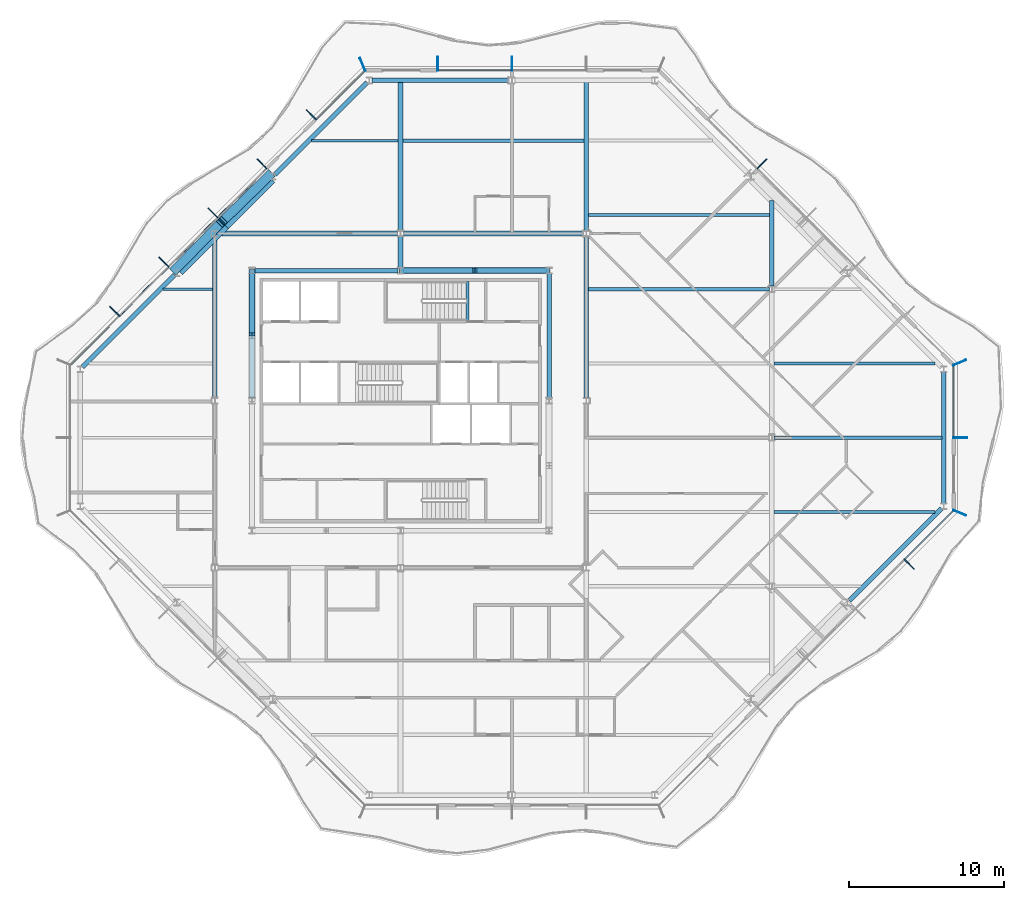
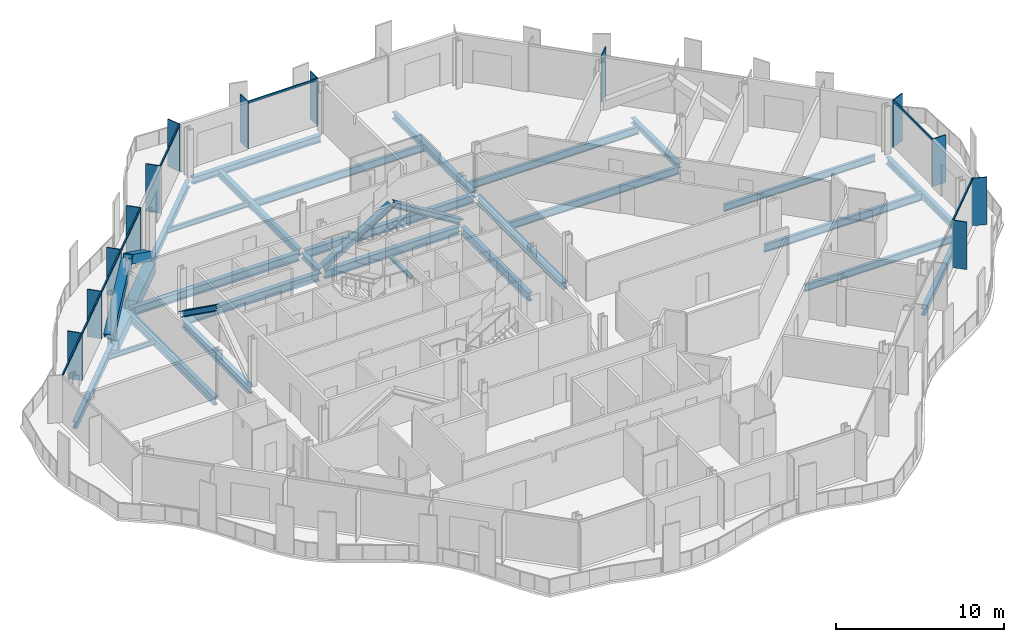
# One storey, part 4 of 17: 28 beams, 26 members, 5 elements without a shape of their own.
"""IFC4 building model written with IfcOpenShell, lengths in metres."""

from ifc_helpers import new_model, si_unit, direction, frame, origin, origin_2d, place, context, subcontext, project, spatial, rectangle, hollow_rectangle, i_section, extrude, material, material_profile, profile_set, type_object, element, aggregate, save


model = new_model("IFC4")

# Units and contexts
model_context = context("Model", 3, precision=1e-05, world=origin(), true_north=direction((0.0, 1.0)))
body_context = subcontext(model_context, "Body", "Model", "MODEL_VIEW")
ifc_project = project(units=[si_unit("LENGTHUNIT", "METRE"), si_unit("AREAUNIT", "SQUARE_METRE"), si_unit("VOLUMEUNIT", "CUBIC_METRE"), si_unit("PLANEANGLEUNIT", "RADIAN"), si_unit("MASSUNIT", "GRAM", prefix="KILO")], contexts=[model_context])

# Site, building, storey
site_placement = place(None, origin())
site = spatial("IfcSite", under=ifc_project, at=site_placement, CompositionType="ELEMENT")
building_placement = place(site_placement, origin())
building = spatial("IfcBuilding", under=site, at=building_placement, Name="Cairn Pilgrim Tower", CompositionType="ELEMENT")
storey_placement = place(building_placement, frame((0.0, 0.0, 217.800048828125)))
storey = spatial("IfcBuildingStorey", under=building, at=storey_placement, Name="L55", CompositionType="ELEMENT", Elevation=217.800048828125)

# Members
ifc_material_1 = material(Name="Structural steel S460M", Category="steel")
ifc_material_profile_1 = material_profile(ifc_material_1, hollow_rectangle(XDim=0.60009765625, YDim=0.60009765625, WallThickness=0.034912109375, at=origin_2d()), Name="BOX 600x600x35")
ifc_profile_set_1 = profile_set([ifc_material_profile_1], Name="Structural steel S460M")
member_type_1 = type_object("IfcMemberType", Name="BOX 600x600x35 BRACE", PredefinedType="BRACE", material=ifc_profile_set_1)
member_1_placement = place(storey_placement, frame((-1.22412109375, 17.00146484375, 0.14990234375), z_axis=(-0.609963251675, -0.594780866166, 0.523622528973), x_axis=(0.698140268834, -0.71596100804, 0.0)))
element("IfcMember", 1, at=member_1_placement, inside=storey, type_object=member_type_1, Name="XB-NW2-NW3-1", PredefinedType="BRACE", context=body_context, shape_type="SweptSolid", body=[
    extrude(hollow_rectangle(XDim=0.60009765625, YDim=0.60009765625, WallThickness=0.034912109375, at=origin_2d()), origin(), (0.0, 0.0, 1.0), 5.033203125),
])
member_2_placement = place(storey_placement, frame((-7.4013671875, 10.823974609375, 0.14990234375), z_axis=(0.59476326853, 0.609993709431, 0.523607036681), x_axis=(-0.715988756584, 0.698111810848, 0.0)))
element("IfcMember", 2, at=member_2_placement, inside=storey, type_object=member_type_1, Name="XB-NW2-NW3-2", PredefinedType="BRACE", context=body_context, shape_type="SweptSolid", body=[
    extrude(hollow_rectangle(XDim=0.60009765625, YDim=0.60009765625, WallThickness=0.034912109375, at=origin_2d()), origin(), (0.0, 0.0, 1.0), 5.033447265625),
])

# Beams
ifc_material_2 = material(Name="Structural steel S355J2", Category="steel")
ifc_material_profile_2 = material_profile(ifc_material_2, hollow_rectangle(XDim=0.699951171875, YDim=0.800048828125, WallThickness=0.0400390625, at=origin_2d()), Name="BOX 700x800x40")
ifc_profile_set_2 = profile_set([ifc_material_profile_2], Name="Structural steel S355J2")
beam_type_1 = type_object("IfcBeamType", Name="BOX 700x800x40 RING GIRDER", PredefinedType="SPANDREL", material=ifc_profile_set_2)
beam_1_placement = place(storey_placement, frame((-1.183837890625, 16.743408203125, -0.550048828125), z_axis=(-0.707106781187, -0.707106781187, 0.0), x_axis=(0.707106781187, -0.707106781187, 0.0)))
element("IfcBeam", 3, at=beam_1_placement, inside=storey, type_object=beam_type_1, Name="RG3-NW2-NW3-1", PredefinedType="SPANDREL", context=body_context, shape_type="SweptSolid", body=[
    extrude(hollow_rectangle(XDim=0.699951171875, YDim=0.800048828125, WallThickness=0.0400390625, at=origin_2d()), origin(), (0.0, 0.0, 1.0), 4.2138671875),
])
beam_2_placement = place(storey_placement, frame((-4.16357421875, 13.763671875, -0.550048828125), z_axis=(-0.707077813866, -0.707135747321, 0.0), x_axis=(0.707135747321, -0.707077813866, 0.0)))
element("IfcBeam", 4, at=beam_2_placement, inside=storey, type_object=beam_type_1, Name="RG3-NW2-NW3-2", PredefinedType="SPANDREL", context=body_context, shape_type="SweptSolid", body=[
    extrude(hollow_rectangle(XDim=0.699951171875, YDim=0.800048828125, WallThickness=0.0400390625, at=origin_2d()), origin(), (0.0, 0.0, 1.0), 4.214111328125),
])

# Curtain wall, member
ifc_material_3 = material(Name="Aluminium alloy 6063-T6 bronze anodised with Bronze tinted laminated low-E glass 8+16+8.8", Category="aluminium")
curtain_wall_type_1 = type_object("IfcCurtainWallType", Name="CHAMFER CORNER CURTAIN WALL", PredefinedType="NOTDEFINED", material=ifc_material_3)
curtain_wall_1_placement = place(storey_placement, origin())
curtain_wall_1 = element("IfcCurtainWall", 5, at=curtain_wall_1_placement, inside=storey, type_object=curtain_wall_type_1, Name="Chamfer Corner Curtain Wall SE", PredefinedType="NOTDEFINED")
ifc_material_4 = material(Name="Aluminium alloy 6063-T6 bronze anodised", Category="aluminium")
ifc_material_profile_3 = material_profile(ifc_material_4, rectangle(XDim=0.89990234375, YDim=0.06005859375, at=origin_2d()), Name="FIN MULLION 60x900 BRONZE")
ifc_profile_set_3 = profile_set([ifc_material_profile_3], Name="Aluminium alloy 6063-T6 bronze anodised")
member_type_2 = type_object("IfcMemberType", Name="FIN MULLION 60x900 BRONZE", PredefinedType="MULLION", material=ifc_profile_set_3)
member_3_placement = place(storey_placement, frame((40.0712890625, -8.1689453125, 0.0), z_axis=(0.0, 0.0, 1.0), x_axis=(0.707106781187, -0.707106781187, 0.0)))
member_3 = element("IfcMember", 6, at=member_3_placement, type_object=member_type_2, Name="Fin mullion SE6", PredefinedType="MULLION", context=body_context, shape_type="SweptSolid", body=[
    extrude(rectangle(XDim=0.89990234375, YDim=0.06005859375, at=origin_2d()), origin(), (0.0, 0.0, 1.0), 3.449951171875),
])

# Curtain wall, members
curtain_wall_type_2 = type_object("IfcCurtainWallType", Name="TOWER STICK CURTAIN WALL EW", PredefinedType="NOTDEFINED", material=ifc_material_3)
curtain_wall_2_placement = place(storey_placement, origin())
curtain_wall_2 = element("IfcCurtainWall", 7, at=curtain_wall_2_placement, inside=storey, type_object=curtain_wall_type_2, Name="Tower Stick Curtain Wall Ew E", PredefinedType="NOTDEFINED")
member_4_placement = place(storey_placement, frame((43.338134765625, -4.857177734375, 0.0), z_axis=(0.0, 0.0, 1.0), x_axis=(0.923879532511, -0.382683432365, 0.0)))
member_4 = element("IfcMember", 8, at=member_4_placement, type_object=member_type_2, Name="Fin mullion E1", PredefinedType="MULLION", context=body_context, shape_type="SweptSolid", body=[
    extrude(rectangle(XDim=0.89990234375, YDim=0.06005859375, at=origin_2d()), origin(), (0.0, 0.0, 1.0), 3.449951171875),
])
member_5_placement = place(storey_placement, frame((43.3701171875, 0.0, 0.0), z_axis=(0.0, 0.0, 1.0), x_axis=(1.0, 0.0, 0.0)))
member_5 = element("IfcMember", 9, at=member_5_placement, type_object=member_type_2, Name="Fin mullion E2", PredefinedType="MULLION", context=body_context, shape_type="SweptSolid", body=[
    extrude(rectangle(XDim=0.89990234375, YDim=0.06005859375, at=origin_2d()), origin(), (0.0, 0.0, 1.0), 3.449951171875),
])

curtain_wall_3_placement = place(storey_placement, origin())
curtain_wall_3 = element("IfcCurtainWall", 10, at=curtain_wall_3_placement, inside=storey, type_object=curtain_wall_type_1, Name="Chamfer Corner Curtain Wall NE", PredefinedType="NOTDEFINED")
member_6_placement = place(storey_placement, frame((43.338134765625, 4.857177734375, 0.0), z_axis=(0.0, 0.0, 1.0), x_axis=(0.923879532511, 0.382683432365, 0.0)))
member_6 = element("IfcMember", 11, at=member_6_placement, type_object=member_type_2, Name="Fin mullion NE1", PredefinedType="MULLION", context=body_context, shape_type="SweptSolid", body=[
    extrude(rectangle(XDim=0.89990234375, YDim=0.06005859375, at=origin_2d()), origin(), (0.0, 0.0, 1.0), 3.449951171875),
])
member_7_placement = place(storey_placement, frame((30.544677734375, 17.69580078125, 0.0), z_axis=(0.0, 0.0, 1.0), x_axis=(0.707106781187, 0.707106781187, 0.0)))
member_7 = element("IfcMember", 12, at=member_7_placement, type_object=member_type_2, Name="Fin mullion NE5", PredefinedType="MULLION", context=body_context, shape_type="SweptSolid", body=[
    extrude(rectangle(XDim=0.89990234375, YDim=0.06005859375, at=origin_2d()), origin(), (0.0, 0.0, 1.0), 3.449951171875),
])
aggregate(curtain_wall_3, [member_6, member_7])

curtain_wall_type_3 = type_object("IfcCurtainWallType", Name="TOWER STICK CURTAIN WALL NS", PredefinedType="NOTDEFINED", material=ifc_material_3)
curtain_wall_4_placement = place(storey_placement, origin())
curtain_wall_4 = element("IfcCurtainWall", 13, at=curtain_wall_4_placement, inside=storey, type_object=curtain_wall_type_3, Name="Tower Stick Curtain Wall Ns N", PredefinedType="NOTDEFINED")
member_8_placement = place(storey_placement, frame((14.39990234375, 24.169921875, 0.0), z_axis=(0.0, 0.0, 1.0), x_axis=(0.0, 1.0, 0.0)))
member_8 = element("IfcMember", 14, at=member_8_placement, type_object=member_type_2, Name="Fin mullion N3", PredefinedType="MULLION", context=body_context, shape_type="SweptSolid", body=[
    extrude(rectangle(XDim=0.89990234375, YDim=0.06005859375, at=origin_2d()), origin(), (0.0, 0.0, 1.0), 3.449951171875),
])
member_9_placement = place(storey_placement, frame((9.60009765625, 24.169921875, 0.0), z_axis=(0.0, 0.0, 1.0), x_axis=(0.0, 1.0, 0.0)))
member_9 = element("IfcMember", 15, at=member_9_placement, type_object=member_type_2, Name="Fin mullion N4", PredefinedType="MULLION", context=body_context, shape_type="SweptSolid", body=[
    extrude(rectangle(XDim=0.89990234375, YDim=0.06005859375, at=origin_2d()), origin(), (0.0, 0.0, 1.0), 3.449951171875),
])

curtain_wall_5_placement = place(storey_placement, origin())
curtain_wall_5 = element("IfcCurtainWall", 16, at=curtain_wall_5_placement, inside=storey, type_object=curtain_wall_type_1, Name="Chamfer Corner Curtain Wall NW", PredefinedType="NOTDEFINED")
member_10_placement = place(storey_placement, frame((4.742919921875, 24.137939453125, 0.0), z_axis=(0.0, 0.0, 1.0), x_axis=(-0.382683432365, 0.923879532511, 0.0)))
member_10 = element("IfcMember", 17, at=member_10_placement, type_object=member_type_2, Name="Fin mullion NW1", PredefinedType="MULLION", context=body_context, shape_type="SweptSolid", body=[
    extrude(rectangle(XDim=0.89990234375, YDim=0.06005859375, at=origin_2d()), origin(), (0.0, 0.0, 1.0), 3.449951171875),
])
member_11_placement = place(storey_placement, frame((1.430908203125, 20.871337890625, 0.0), z_axis=(0.0, 0.0, 1.0), x_axis=(-0.707106781187, 0.707106781187, 0.0)))
member_11 = element("IfcMember", 18, at=member_11_placement, type_object=member_type_2, Name="Fin mullion NW2", PredefinedType="MULLION", context=body_context, shape_type="SweptSolid", body=[
    extrude(rectangle(XDim=0.89990234375, YDim=0.06005859375, at=origin_2d()), origin(), (0.0, 0.0, 1.0), 3.449951171875),
])
member_12_placement = place(storey_placement, frame((-1.74462890625, 17.69580078125, 0.0), z_axis=(0.0, 0.0, 1.0), x_axis=(-0.707106781187, 0.707106781187, 0.0)))
member_12 = element("IfcMember", 19, at=member_12_placement, type_object=member_type_2, Name="Fin mullion NW3", PredefinedType="MULLION", context=body_context, shape_type="SweptSolid", body=[
    extrude(rectangle(XDim=0.89990234375, YDim=0.06005859375, at=origin_2d()), origin(), (0.0, 0.0, 1.0), 3.449951171875),
])
member_13_placement = place(storey_placement, frame((-4.920166015625, 14.520263671875, 0.0), z_axis=(0.0, 0.0, 1.0), x_axis=(-0.707106781187, 0.707106781187, 0.0)))
member_13 = element("IfcMember", 20, at=member_13_placement, type_object=member_type_2, Name="Fin mullion NW4", PredefinedType="MULLION", context=body_context, shape_type="SweptSolid", body=[
    extrude(rectangle(XDim=0.89990234375, YDim=0.06005859375, at=origin_2d()), origin(), (0.0, 0.0, 1.0), 3.449951171875),
])
member_14_placement = place(storey_placement, frame((-8.095703125, 11.3447265625, 0.0), z_axis=(0.0, 0.0, 1.0), x_axis=(-0.707106781187, 0.707106781187, 0.0)))
member_14 = element("IfcMember", 21, at=member_14_placement, type_object=member_type_2, Name="Fin mullion NW5", PredefinedType="MULLION", context=body_context, shape_type="SweptSolid", body=[
    extrude(rectangle(XDim=0.89990234375, YDim=0.06005859375, at=origin_2d()), origin(), (0.0, 0.0, 1.0), 3.449951171875),
])
member_15_placement = place(storey_placement, frame((-11.271484375, 8.1689453125, 0.0), z_axis=(0.0, 0.0, 1.0), x_axis=(-0.707106781187, 0.707106781187, 0.0)))
member_15 = element("IfcMember", 22, at=member_15_placement, type_object=member_type_2, Name="Fin mullion NW6", PredefinedType="MULLION", context=body_context, shape_type="SweptSolid", body=[
    extrude(rectangle(XDim=0.89990234375, YDim=0.06005859375, at=origin_2d()), origin(), (0.0, 0.0, 1.0), 3.449951171875),
])

# Members
ifc_material_profile_4 = material_profile(ifc_material_2, i_section(OverallWidth=0.39794921875, OverallDepth=0.386962890625, WebThickness=0.02099609375, FlangeThickness=0.033203125, FilletRadius=0.014892578125, at=origin_2d()), Name="HD 400x262")
ifc_profile_set_4 = profile_set([ifc_material_profile_4], Name="Structural steel S355J2")
member_type_3 = type_object("IfcMemberType", Name="HD 400x262 BRACE", PredefinedType="BRACE", material=ifc_profile_set_4)
for number, where, z_axis, x_axis, name in (
    (23, (16.759521484375, 10.800048828125, 0.099853515625), (-0.851160677397, 0.0, 0.524905230736), (0.0, -1.0, 0.0), "KB-3A"),
    (24, (7.240478515625, 10.800048828125, 0.099853515625), (0.851160677397, 0.0, 0.524905230736), (0.0, 1.0, 0.0), "KB-3B"),
):
    element("IfcMember", number, at=place(storey_placement, frame(where, z_axis=z_axis, x_axis=x_axis)), inside=storey, type_object=member_type_3, Name=name, PredefinedType="BRACE", context=body_context, shape_type="SweptSolid", body=[
        extrude(i_section(OverallWidth=0.39794921875, OverallDepth=0.386962890625, WebThickness=0.02099609375, FlangeThickness=0.033203125, FilletRadius=0.014892578125, at=origin_2d()), origin(), (0.0, 0.0, 1.0), 5.529296875),
    ])
member_16_placement = place(storey_placement, frame((-2.39990234375, 10.759521484375, 0.099853515625), z_axis=(0.0, -0.814412678688, 0.580286126659), x_axis=(1.0, 0.0, 0.0)))
element("IfcMember", 25, at=member_16_placement, inside=storey, type_object=member_type_3, Name="KB-4A", PredefinedType="BRACE", context=body_context, shape_type="SweptSolid", body=[
    extrude(i_section(OverallWidth=0.39794921875, OverallDepth=0.386962890625, WebThickness=0.02099609375, FlangeThickness=0.033203125, FilletRadius=0.014892578125, at=origin_2d()), origin(), (0.0, 0.0, 1.0), 4.9990234375),
])

# Beams
ifc_material_profile_5 = material_profile(ifc_material_2, i_section(OverallWidth=0.300048828125, OverallDepth=0.39990234375, WebThickness=0.013427734375, FlangeThickness=0.02392578125, FilletRadius=0.027099609375, at=origin_2d()), Name="HEB 400")
ifc_profile_set_5 = profile_set([ifc_material_profile_5], Name="Structural steel S355J2")
beam_type_2 = type_object("IfcBeamType", Name="HEB 400 GIRDER", PredefinedType="BEAM", material=ifc_profile_set_5)
beam_3_placement = place(storey_placement, frame((7.199951171875, 11.001953125, -0.35009765625), z_axis=(0.0, 1.0, 0.0), x_axis=(-1.0, 0.0, 0.0)))
element("IfcBeam", 26, at=beam_3_placement, inside=storey, type_object=beam_type_2, Name="PG3-E2", PredefinedType="BEAM", context=body_context, shape_type="SweptSolid", body=[
    extrude(i_section(OverallWidth=0.300048828125, OverallDepth=0.39990234375, WebThickness=0.013427734375, FlangeThickness=0.02392578125, FilletRadius=0.027099609375, at=origin_2d()), origin(), (0.0, 0.0, 1.0), 1.99853515625),
])
beam_4_placement = place(storey_placement, frame((31.199951171875, 9.799560546875, -0.35009765625), z_axis=(0.0, 1.0, 0.0), x_axis=(-1.0, 0.0, 0.0)))
element("IfcBeam", 27, at=beam_4_placement, inside=storey, type_object=beam_type_2, Name="PG5-4", PredefinedType="BEAM", context=body_context, shape_type="SweptSolid", body=[
    extrude(i_section(OverallWidth=0.300048828125, OverallDepth=0.39990234375, WebThickness=0.013427734375, FlangeThickness=0.02392578125, FilletRadius=0.027099609375, at=origin_2d()), origin(), (0.0, 0.0, 1.0), 5.545654296875),
])
ifc_material_profile_6 = material_profile(ifc_material_2, i_section(OverallWidth=0.300048828125, OverallDepth=0.5, WebThickness=0.014404296875, FlangeThickness=0.028076171875, FilletRadius=0.027099609375, at=origin_2d()), Name="HEB 500")
ifc_profile_set_6 = profile_set([ifc_material_profile_6], Name="Structural steel S355J2")
beam_type_3 = type_object("IfcBeamType", Name="HEB 500 GIRDER", PredefinedType="BEAM", material=ifc_profile_set_6)
for number, where, z_axis, x_axis, name in (
    (28, (7.199951171875, 13.3994140625, -0.400146484375), (0.0, 1.0, 0.0), (-1.0, 0.0, 0.0), "PG3-2"),
    (29, (19.199951171875, 13.3994140625, -0.400146484375), (0.0, 1.0, 0.0), (-1.0, 0.0, 0.0), "PG4-4"),
):
    element("IfcBeam", number, at=place(storey_placement, frame(where, z_axis=z_axis, x_axis=x_axis)), inside=storey, type_object=beam_type_3, Name=name, PredefinedType="BEAM", context=body_context, shape_type="SweptSolid", body=[
        extrude(i_section(OverallWidth=0.300048828125, OverallDepth=0.5, WebThickness=0.014404296875, FlangeThickness=0.028076171875, FilletRadius=0.027099609375, at=origin_2d()), origin(), (0.0, 0.0, 1.0), 9.58056640625),
    ])
ifc_material_profile_7 = material_profile(ifc_material_2, i_section(OverallWidth=0.300048828125, OverallDepth=0.5, WebThickness=0.014404296875, FlangeThickness=0.028076171875, FilletRadius=0.027099609375, at=origin_2d()), Name="HEB 500")
ifc_profile_set_7 = profile_set([ifc_material_profile_7], Name="Structural steel S355J2")
beam_type_4 = type_object("IfcBeamType", Name="HEB 500 RING GIRDER", PredefinedType="SPANDREL", material=ifc_profile_set_7)
beam_5_placement = place(storey_placement, frame((36.2080078125, -10.51904296875, -0.400146484375), z_axis=(0.707106781187, 0.707106781187, 0.0), x_axis=(-0.707106781187, 0.707106781187, 0.0)))
element("IfcBeam", 30, at=beam_5_placement, inside=storey, type_object=beam_type_4, Name="RG3-SE3-E1", PredefinedType="SPANDREL", context=body_context, shape_type="SweptSolid", body=[
    extrude(i_section(OverallWidth=0.300048828125, OverallDepth=0.5, WebThickness=0.014404296875, FlangeThickness=0.028076171875, FilletRadius=0.027099609375, at=origin_2d()), origin(), (0.0, 0.0, 1.0), 8.427978515625),
])
beam_6_placement = place(storey_placement, frame((42.300048828125, -4.239990234375, -0.400146484375), z_axis=(0.0, 1.0, 0.0), x_axis=(-1.0, 0.0, 0.0)))
element("IfcBeam", 31, at=beam_6_placement, inside=storey, type_object=beam_type_4, Name="RG3-E1-NE1", PredefinedType="SPANDREL", context=body_context, shape_type="SweptSolid", body=[
    extrude(i_section(OverallWidth=0.300048828125, OverallDepth=0.5, WebThickness=0.014404296875, FlangeThickness=0.028076171875, FilletRadius=0.027099609375, at=origin_2d()), origin(), (0.0, 0.0, 1.0), 8.47998046875),
])
beam_7_placement = place(storey_placement, frame((14.212890625, 23.10009765625, -0.400146484375), z_axis=(-1.0, 0.0, 0.0), x_axis=(0.0, -1.0, 0.0)))
element("IfcBeam", 32, at=beam_7_placement, inside=storey, type_object=beam_type_4, Name="RG3-N2-NW1", PredefinedType="SPANDREL", context=body_context, shape_type="SweptSolid", body=[
    extrude(i_section(OverallWidth=0.300048828125, OverallDepth=0.5, WebThickness=0.014404296875, FlangeThickness=0.028076171875, FilletRadius=0.027099609375, at=origin_2d()), origin(), (0.0, 0.0, 1.0), 8.852783203125),
])
for number, where, z_axis, x_axis, name in (
    (33, (5.040283203125, 22.967529296875, -0.400146484375), (-0.707106781187, -0.707106781187, 0.0), (0.707106781187, -0.707106781187, 0.0), "RG3-NW1-NW2"),
    (34, (-7.408203125, 10.51904296875, -0.400146484375), (-0.707106781187, -0.707106781187, 0.0), (0.707106781187, -0.707106781187, 0.0), "RG3-NW3-W1"),
):
    element("IfcBeam", number, at=place(storey_placement, frame(where, z_axis=z_axis, x_axis=x_axis)), inside=storey, type_object=beam_type_4, Name=name, PredefinedType="SPANDREL", context=body_context, shape_type="SweptSolid", body=[
        extrude(i_section(OverallWidth=0.300048828125, OverallDepth=0.5, WebThickness=0.014404296875, FlangeThickness=0.028076171875, FilletRadius=0.027099609375, at=origin_2d()), origin(), (0.0, 0.0, 1.0), 8.427978515625),
    ])
ifc_material_profile_8 = material_profile(ifc_material_2, i_section(OverallWidth=0.300048828125, OverallDepth=0.60009765625, WebThickness=0.015380859375, FlangeThickness=0.030029296875, FilletRadius=0.027099609375, at=origin_2d()), Name="HEB 600")
ifc_profile_set_8 = profile_set([ifc_material_profile_8], Name="Structural steel S355J2")
beam_type_5 = type_object("IfcBeamType", Name="HEB 600 CORE BEAM", PredefinedType="BEAM", material=ifc_profile_set_8)
beam_8_placement = place(storey_placement, frame((16.800048828125, 2.581787109375, -0.449951171875), z_axis=(0.0, 1.0, 0.0), x_axis=(-1.0, 0.0, 0.0)))
element("IfcBeam", 35, at=beam_8_placement, inside=storey, type_object=beam_type_5, Name="CB-4", PredefinedType="BEAM", context=body_context, shape_type="SweptSolid", body=[
    extrude(i_section(OverallWidth=0.300048828125, OverallDepth=0.60009765625, WebThickness=0.015380859375, FlangeThickness=0.030029296875, FilletRadius=0.027099609375, at=origin_2d()), origin(), (0.0, 0.0, 1.0), 8.036376953125),
])
beam_9_placement = place(storey_placement, frame((16.6181640625, 10.800048828125, -0.449951171875), z_axis=(-1.0, 0.0, 0.0), x_axis=(0.0, -1.0, 0.0)))
element("IfcBeam", 36, at=beam_9_placement, inside=storey, type_object=beam_type_5, Name="CB-5", PredefinedType="BEAM", context=body_context, shape_type="SweptSolid", body=[
    extrude(i_section(OverallWidth=0.300048828125, OverallDepth=0.60009765625, WebThickness=0.015380859375, FlangeThickness=0.030029296875, FilletRadius=0.027099609375, at=origin_2d()), origin(), (0.0, 0.0, 1.0), 9.236328125),
])
beam_10_placement = place(storey_placement, frame((7.018310546875, 10.800048828125, -0.449951171875), z_axis=(-1.0, 0.0, 0.0), x_axis=(0.0, -1.0, 0.0)))
element("IfcBeam", 37, at=beam_10_placement, inside=storey, type_object=beam_type_5, Name="CB-6", PredefinedType="BEAM", context=body_context, shape_type="SweptSolid", body=[
    extrude(i_section(OverallWidth=0.300048828125, OverallDepth=0.60009765625, WebThickness=0.015380859375, FlangeThickness=0.030029296875, FilletRadius=0.027099609375, at=origin_2d()), origin(), (0.0, 0.0, 1.0), 9.236572265625),
])
beam_11_placement = place(storey_placement, frame((-2.39990234375, 10.6181640625, -0.449951171875), z_axis=(0.0, -1.0, 0.0), x_axis=(1.0, 0.0, 0.0)))
element("IfcBeam", 38, at=beam_11_placement, inside=storey, type_object=beam_type_5, Name="CB-7", PredefinedType="BEAM", context=body_context, shape_type="SweptSolid", body=[
    extrude(i_section(OverallWidth=0.300048828125, OverallDepth=0.60009765625, WebThickness=0.015380859375, FlangeThickness=0.030029296875, FilletRadius=0.027099609375, at=origin_2d()), origin(), (0.0, 0.0, 1.0), 8.036376953125),
])
ifc_material_profile_9 = material_profile(ifc_material_2, i_section(OverallWidth=0.300048828125, OverallDepth=0.60009765625, WebThickness=0.015380859375, FlangeThickness=0.030029296875, FilletRadius=0.027099609375, at=origin_2d()), Name="HEB 600")
ifc_profile_set_9 = profile_set([ifc_material_profile_9], Name="Structural steel S355J2")
beam_type_6 = type_object("IfcBeamType", Name="HEB 600 GIRDER", PredefinedType="BEAM", material=ifc_profile_set_9)
beam_12_placement = place(storey_placement, frame((-4.800048828125, 2.599609375, -0.449951171875), z_axis=(0.0, 1.0, 0.0), x_axis=(-1.0, 0.0, 0.0)))
element("IfcBeam", 39, at=beam_12_placement, inside=storey, type_object=beam_type_6, Name="PG2-3", PredefinedType="BEAM", context=body_context, shape_type="SweptSolid", body=[
    extrude(i_section(OverallWidth=0.300048828125, OverallDepth=0.60009765625, WebThickness=0.015380859375, FlangeThickness=0.030029296875, FilletRadius=0.027099609375, at=origin_2d()), origin(), (0.0, 0.0, 1.0), 10.345458984375),
])
beam_13_placement = place(storey_placement, frame((19.199951171875, 2.599609375, -0.449951171875), z_axis=(0.0, 1.0, 0.0), x_axis=(-1.0, 0.0, 0.0)))
element("IfcBeam", 40, at=beam_13_placement, inside=storey, type_object=beam_type_6, Name="PG4-3", PredefinedType="BEAM", context=body_context, shape_type="SweptSolid", body=[
    extrude(i_section(OverallWidth=0.300048828125, OverallDepth=0.60009765625, WebThickness=0.015380859375, FlangeThickness=0.030029296875, FilletRadius=0.027099609375, at=origin_2d()), origin(), (0.0, 0.0, 1.0), 10.40087890625),
])
ifc_material_profile_10 = material_profile(ifc_material_2, i_section(OverallWidth=0.300048828125, OverallDepth=0.60009765625, WebThickness=0.015380859375, FlangeThickness=0.030029296875, FilletRadius=0.027099609375, at=origin_2d()), Name="HEB 600")
ifc_profile_set_10 = profile_set([ifc_material_profile_10], Name="Structural steel S355J2")
beam_type_7 = type_object("IfcBeamType", Name="HEB 600 INNER GIRDER", PredefinedType="BEAM", material=ifc_profile_set_10)
for number, where, z_axis, x_axis, name in (
    (41, (-4.6005859375, 13.199951171875, -0.449951171875), (1.0, 0.0, 0.0), (0.0, 1.0, 0.0), "IG2-1"),
    (42, (7.3994140625, 13.199951171875, -0.449951171875), (1.0, 0.0, 0.0), (0.0, 1.0, 0.0), "IG2-2"),
):
    element("IfcBeam", number, at=place(storey_placement, frame(where, z_axis=z_axis, x_axis=x_axis)), inside=storey, type_object=beam_type_7, Name=name, PredefinedType="BEAM", context=body_context, shape_type="SweptSolid", body=[
        extrude(i_section(OverallWidth=0.300048828125, OverallDepth=0.60009765625, WebThickness=0.015380859375, FlangeThickness=0.030029296875, FilletRadius=0.027099609375, at=origin_2d()), origin(), (0.0, 0.0, 1.0), 11.60107421875),
    ])
ifc_material_profile_11 = material_profile(ifc_material_2, i_section(OverallWidth=0.169921875, OverallDepth=0.360107421875, WebThickness=0.008056640625, FlangeThickness=0.0126953125, FilletRadius=0.01806640625, at=origin_2d()), Name="IPE 360")
ifc_profile_set_11 = profile_set([ifc_material_profile_11], Name="Structural steel S355J2")
beam_type_8 = type_object("IfcBeamType", Name="IPE 360 SECONDARY BEAM", PredefinedType="JOIST", material=ifc_profile_set_11)
beam_14_placement = place(storey_placement, frame((-8.14501953125, 9.60009765625, -0.330078125), z_axis=(1.0, 0.0, 0.0), x_axis=(0.0, 1.0, 0.0)))
element("IfcBeam", 43, at=beam_14_placement, inside=storey, type_object=beam_type_8, Name="SB7-1", PredefinedType="JOIST", context=body_context, shape_type="SweptSolid", body=[
    extrude(i_section(OverallWidth=0.169921875, OverallDepth=0.360107421875, WebThickness=0.008056640625, FlangeThickness=0.0126953125, FilletRadius=0.01806640625, at=origin_2d()), origin(), (0.0, 0.0, 1.0), 3.195068359375),
])
beam_15_placement = place(storey_placement, frame((1.454833984375, 19.199951171875, -0.330078125), z_axis=(1.0, 0.0, 0.0), x_axis=(0.0, 1.0, 0.0)))
element("IfcBeam", 44, at=beam_15_placement, inside=storey, type_object=beam_type_8, Name="SB9-1", PredefinedType="JOIST", context=body_context, shape_type="SweptSolid", body=[
    extrude(i_section(OverallWidth=0.169921875, OverallDepth=0.360107421875, WebThickness=0.008056640625, FlangeThickness=0.0126953125, FilletRadius=0.01806640625, at=origin_2d()), origin(), (0.0, 0.0, 1.0), 5.59521484375),
])
ifc_material_profile_12 = material_profile(ifc_material_2, i_section(OverallWidth=0.199951171875, OverallDepth=0.5, WebThickness=0.01025390625, FlangeThickness=0.01611328125, FilletRadius=0.02099609375, at=origin_2d()), Name="IPE 500")
ifc_profile_set_12 = profile_set([ifc_material_profile_12], Name="Structural steel S355J2")
beam_type_9 = type_object("IfcBeamType", Name="IPE 500 SECONDARY BEAM", PredefinedType="JOIST", material=ifc_profile_set_12)
for number, where, z_axis, x_axis, name in (
    (45, (31.35009765625, -4.800048828125, -0.400146484375), (1.0, 0.0, 0.0), (0.0, 1.0, 0.0), "SB4-3"),
    (46, (31.35009765625, 4.800048828125, -0.400146484375), (1.0, 0.0, 0.0), (0.0, 1.0, 0.0), "SB6-3"),
):
    element("IfcBeam", number, at=place(storey_placement, frame(where, z_axis=z_axis, x_axis=x_axis)), inside=storey, type_object=beam_type_9, Name=name, PredefinedType="JOIST", context=body_context, shape_type="SweptSolid", body=[
        extrude(i_section(OverallWidth=0.199951171875, OverallDepth=0.5, WebThickness=0.01025390625, FlangeThickness=0.01611328125, FilletRadius=0.02099609375, at=origin_2d()), origin(), (0.0, 0.0, 1.0), 10.39501953125),
    ])
ifc_material_profile_13 = material_profile(ifc_material_2, i_section(OverallWidth=0.2099609375, OverallDepth=0.550048828125, WebThickness=0.010986328125, FlangeThickness=0.01708984375, FilletRadius=0.02392578125, at=origin_2d()), Name="IPE 550")
ifc_profile_set_13 = profile_set([ifc_material_profile_13], Name="Structural steel S355J2")
beam_type_10 = type_object("IfcBeamType", Name="IPE 550 SECONDARY BEAM", PredefinedType="JOIST", material=ifc_profile_set_13)
beam_16_placement = place(storey_placement, frame((31.35009765625, 0.0, -0.425048828125), z_axis=(1.0, 0.0, 0.0), x_axis=(0.0, 1.0, 0.0)))
element("IfcBeam", 47, at=beam_16_placement, inside=storey, type_object=beam_type_10, Name="SB5-3", PredefinedType="JOIST", context=body_context, shape_type="SweptSolid", body=[
    extrude(i_section(OverallWidth=0.2099609375, OverallDepth=0.550048828125, WebThickness=0.010986328125, FlangeThickness=0.01708984375, FilletRadius=0.02392578125, at=origin_2d()), origin(), (0.0, 0.0, 1.0), 10.829833984375),
])
for number, where, z_axis, x_axis, name in (
    (48, (19.35009765625, 9.60009765625, -0.425048828125), (1.0, 0.0, 0.0), (0.0, 1.0, 0.0), "SB7-2"),
    (49, (19.35009765625, 14.39990234375, -0.425048828125), (1.0, 0.0, 0.0), (0.0, 1.0, 0.0), "SB8-1"),
    (50, (7.35009765625, 19.199951171875, -0.425048828125), (1.0, 0.0, 0.0), (0.0, 1.0, 0.0), "SB9-2"),
):
    element("IfcBeam", number, at=place(storey_placement, frame(where, z_axis=z_axis, x_axis=x_axis)), inside=storey, type_object=beam_type_10, Name=name, PredefinedType="JOIST", context=body_context, shape_type="SweptSolid", body=[
        extrude(i_section(OverallWidth=0.2099609375, OverallDepth=0.550048828125, WebThickness=0.010986328125, FlangeThickness=0.01708984375, FilletRadius=0.02392578125, at=origin_2d()), origin(), (0.0, 0.0, 1.0), 11.699951171875),
    ])
ifc_material_profile_14 = material_profile(ifc_material_2, i_section(OverallWidth=0.199951171875, OverallDepth=0.199951171875, WebThickness=0.009033203125, FlangeThickness=0.014892578125, FilletRadius=0.01806640625, at=origin_2d()), Name="HE 200 B")
ifc_profile_set_14 = profile_set([ifc_material_profile_14], Name="Structural steel S355J2")
beam_type_11 = type_object("IfcBeamType", Name="STAIR LANDING BEAM HE 200 B", PredefinedType="BEAM", material=ifc_profile_set_14)
beam_17_placement = place(storey_placement, frame((11.5244140625, 10.10009765625, -0.25), z_axis=(0.0, -1.0, 0.0), x_axis=(1.0, 0.0, 0.0)))
element("IfcBeam", 51, at=beam_17_placement, inside=storey, type_object=beam_type_11, Name="STAIR LANDING BEAM LD-HE200B", PredefinedType="BEAM", context=body_context, shape_type="SweptSolid", body=[
    extrude(i_section(OverallWidth=0.199951171875, OverallDepth=0.199951171875, WebThickness=0.009033203125, FlangeThickness=0.014892578125, FilletRadius=0.01806640625, at=origin_2d()), origin(), (0.0, 0.0, 1.0), 2.525146484375),
])

# Member
ifc_material_profile_15 = material_profile(ifc_material_4, rectangle(XDim=0.080078125, YDim=0.14990234375, at=origin_2d()), Name="TRANSOM 80x150 BRONZE")
ifc_profile_set_15 = profile_set([ifc_material_profile_15], Name="Aluminium alloy 6063-T6 bronze anodised")
member_type_4 = type_object("IfcMemberType", Name="TRANSOM 80x150 BRONZE", PredefinedType="USERDEFINED", material=ifc_profile_set_15)
member_17_placement = place(storey_placement, frame((39.795654296875, -7.850830078125, 3.375), z_axis=(0.707079168996, 0.707134392299, 0.0), x_axis=(-0.707134392299, 0.707079168996, 0.0)))
member_17 = element("IfcMember", 52, at=member_17_placement, type_object=member_type_4, Name="Transom SE6", ObjectType="TRANSOM", PredefinedType="USERDEFINED", context=body_context, shape_type="SweptSolid", body=[
    extrude(rectangle(XDim=0.080078125, YDim=0.14990234375, at=origin_2d()), origin(), (0.0, 0.0, 1.0), 4.4208984375),
])

aggregate(curtain_wall_1, [member_3, member_17])

member_18_placement = place(storey_placement, frame((42.949951171875, 0.030029296875, 3.375), z_axis=(0.0, 1.0, 0.0), x_axis=(-1.0, 0.0, 0.0)))
member_18 = element("IfcMember", 53, at=member_18_placement, type_object=member_type_4, Name="Transom E2", ObjectType="TRANSOM", PredefinedType="USERDEFINED", context=body_context, shape_type="SweptSolid", body=[
    extrude(rectangle(XDim=0.080078125, YDim=0.14990234375, at=origin_2d()), origin(), (0.0, 0.0, 1.0), 4.62646484375),
])

aggregate(curtain_wall_2, [member_4, member_5, member_18])

member_19_placement = place(storey_placement, frame((14.3701171875, 23.75, 3.375), z_axis=(-1.0, 0.0, 0.0), x_axis=(0.0, -1.0, 0.0)))
member_19 = element("IfcMember", 54, at=member_19_placement, type_object=member_type_4, Name="Transom N3", ObjectType="TRANSOM", PredefinedType="USERDEFINED", context=body_context, shape_type="SweptSolid", body=[
    extrude(rectangle(XDim=0.080078125, YDim=0.14990234375, at=origin_2d()), origin(), (0.0, 0.0, 1.0), 4.740234375),
])

aggregate(curtain_wall_4, [member_8, member_9, member_19])

member_20_placement = place(storey_placement, frame((4.875244140625, 23.7216796875, 3.375), z_axis=(-0.707106781187, -0.707106781187, 0.0), x_axis=(0.707106781187, -0.707106781187, 0.0)))
member_20 = element("IfcMember", 55, at=member_20_placement, type_object=member_type_4, Name="Transom NW1", ObjectType="TRANSOM", PredefinedType="USERDEFINED", context=body_context, shape_type="SweptSolid", body=[
    extrude(rectangle(XDim=0.080078125, YDim=0.14990234375, at=origin_2d()), origin(), (0.0, 0.0, 1.0), 4.4208984375),
])

member_21_placement = place(storey_placement, frame((-1.46875, 17.377685546875, 3.375), z_axis=(-0.707106781187, -0.707106781187, 0.0), x_axis=(0.707106781187, -0.707106781187, 0.0)))
member_21 = element("IfcMember", 56, at=member_21_placement, type_object=member_type_4, Name="Transom NW3", ObjectType="TRANSOM", PredefinedType="USERDEFINED", context=body_context, shape_type="SweptSolid", body=[
    extrude(rectangle(XDim=0.080078125, YDim=0.14990234375, at=origin_2d()), origin(), (0.0, 0.0, 1.0), 4.43115234375),
])

member_22_placement = place(storey_placement, frame((-4.64453125, 14.201904296875, 3.375), z_axis=(-0.707106781187, -0.707106781187, 0.0), x_axis=(0.707106781187, -0.707106781187, 0.0)))
member_22 = element("IfcMember", 57, at=member_22_placement, type_object=member_type_4, Name="Transom NW4", ObjectType="TRANSOM", PredefinedType="USERDEFINED", context=body_context, shape_type="SweptSolid", body=[
    extrude(rectangle(XDim=0.080078125, YDim=0.14990234375, at=origin_2d()), origin(), (0.0, 0.0, 1.0), 4.430908203125),
])

member_23_placement = place(storey_placement, frame((-7.820068359375, 11.0263671875, 3.375), z_axis=(-0.707106781187, -0.707106781187, 0.0), x_axis=(0.707106781187, -0.707106781187, 0.0)))
member_23 = element("IfcMember", 58, at=member_23_placement, type_object=member_type_4, Name="Transom NW5", ObjectType="TRANSOM", PredefinedType="USERDEFINED", context=body_context, shape_type="SweptSolid", body=[
    extrude(rectangle(XDim=0.080078125, YDim=0.14990234375, at=origin_2d()), origin(), (0.0, 0.0, 1.0), 4.430908203125),
])

member_24_placement = place(storey_placement, frame((-10.99560546875, 7.850830078125, 3.375), z_axis=(-0.707106781187, -0.707106781187, 0.0), x_axis=(0.707106781187, -0.707106781187, 0.0)))
member_24 = element("IfcMember", 59, at=member_24_placement, type_object=member_type_4, Name="Transom NW6", ObjectType="TRANSOM", PredefinedType="USERDEFINED", context=body_context, shape_type="SweptSolid", body=[
    extrude(rectangle(XDim=0.080078125, YDim=0.14990234375, at=origin_2d()), origin(), (0.0, 0.0, 1.0), 4.421142578125),
])

aggregate(curtain_wall_5, [member_10, member_11, member_12, member_13, member_14, member_15, member_20, member_21, member_22, member_23, member_24])

save(model, "model.ifc")
